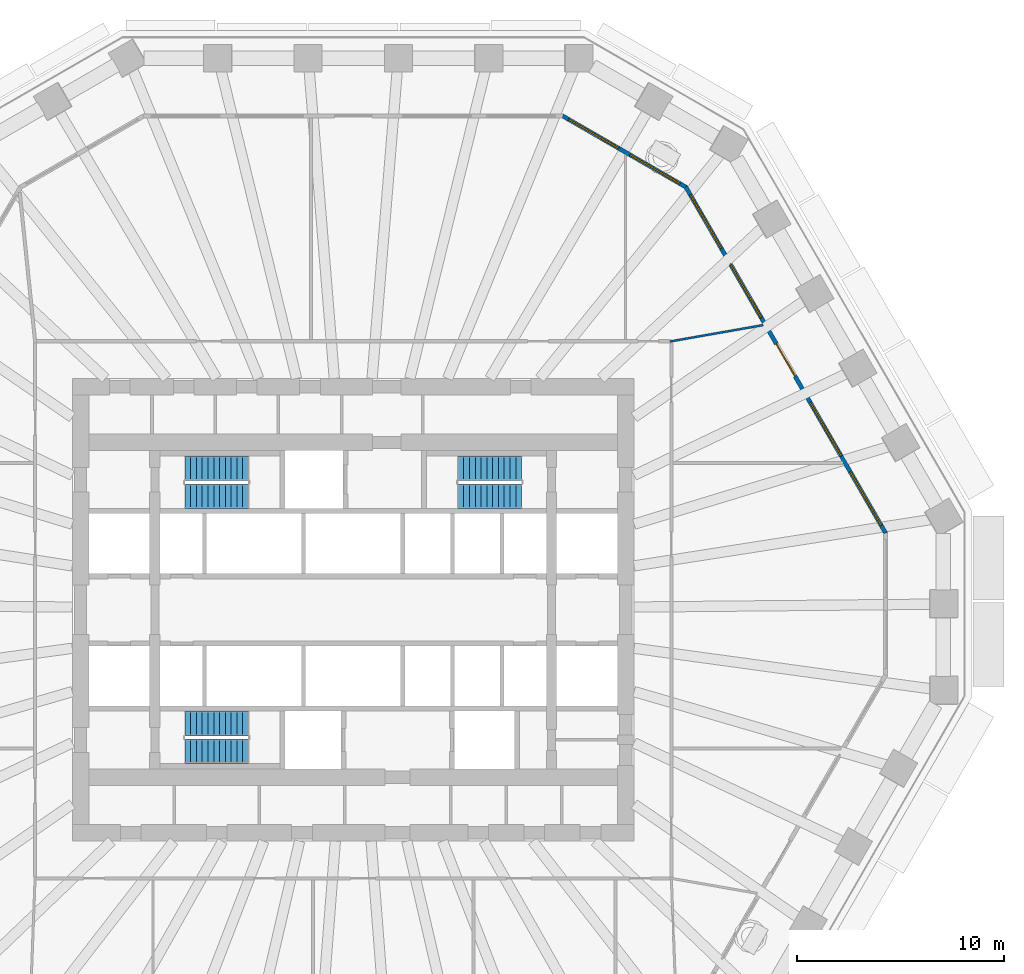
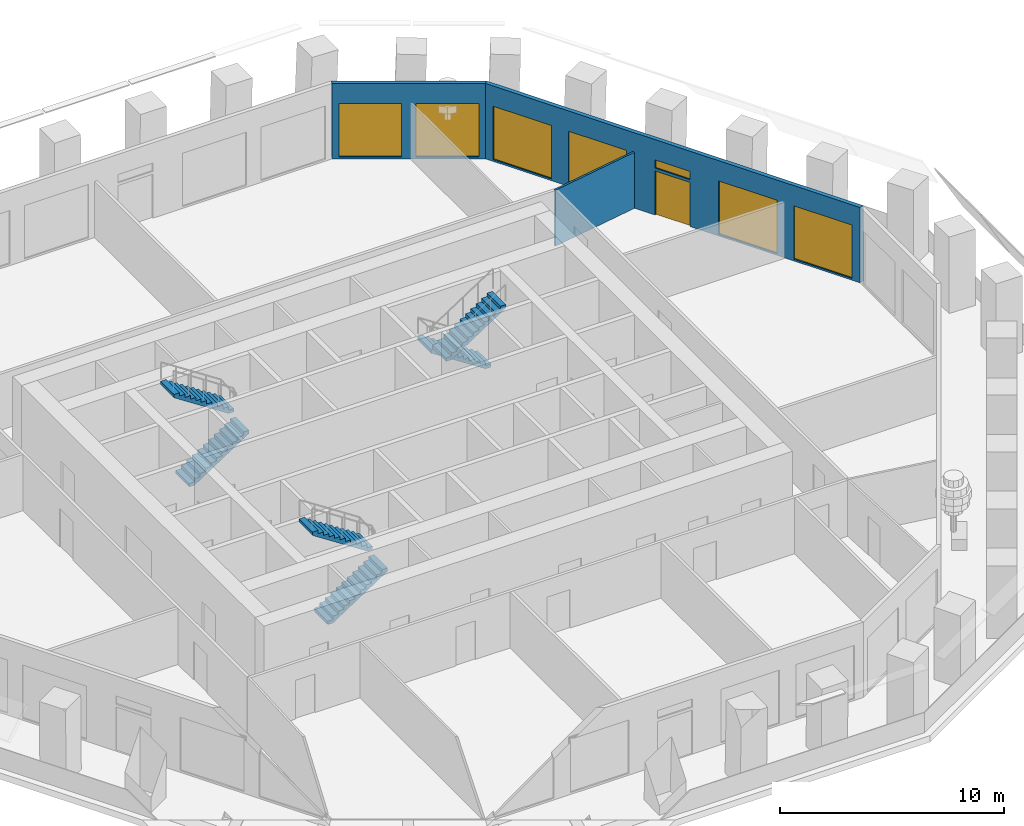
# One storey, part 8 of 12: 7 windows, 6 stair flights, 3 walls, 1 door, 8 openings, 3 elements without a shape of their own.
"""IFC4 building model written with IfcOpenShell, lengths in metres."""

from ifc_helpers import new_model, si_unit, direction, frame, frame_2d, origin, place, context, subcontext, project, spatial, polyline, rectangle, outline, extrude, material, layer, layer_set, type_object, element, fill, aggregate, save


model = new_model("IFC4")

# Units and contexts
model_context = context("Model", 3, precision=1e-05, world=origin(), true_north=direction((0.0, 1.0)))
body_context = subcontext(model_context, "Body", "Model", "MODEL_VIEW")
ifc_project = project(units=[si_unit("LENGTHUNIT", "METRE"), si_unit("AREAUNIT", "SQUARE_METRE"), si_unit("VOLUMEUNIT", "CUBIC_METRE"), si_unit("PLANEANGLEUNIT", "RADIAN"), si_unit("MASSUNIT", "GRAM", prefix="KILO")], contexts=[model_context])

# Site, building, storey
site_placement = place(None, origin())
site = spatial("IfcSite", under=ifc_project, at=site_placement, CompositionType="ELEMENT")
building_placement = place(site_placement, origin())
building = spatial("IfcBuilding", under=site, at=building_placement, Name="Frailejon Research Tower", CompositionType="ELEMENT")
storey_placement = place(building_placement, frame((0.0, 0.0, 89.60009765625)))
storey = spatial("IfcBuildingStorey", under=building, at=storey_placement, Name="L19", CompositionType="ELEMENT", Elevation=89.60009765625)

# Wall
ifc_material_1 = material(Name="Gypsum board and masonry partition", Category="masonry")
ifc_layer_1 = layer(ifc_material_1, 0.10009765625)
ifc_layer_set_1 = layer_set([ifc_layer_1], Name="Partition, gypsum on steel studs 100")
wall_type_1 = type_object("IfcWallType", Name="Partition, gypsum on steel studs 100", PredefinedType="PARTITIONING", material=ifc_layer_set_1)
wall_1_placement = place(storey_placement, frame((15.326171875, 12.987060546875, 0.0), z_axis=(0.0, 0.0, 1.0), x_axis=(0.98491186358, 0.173056698744, 0.0)))
element("IfcWall", 1, at=wall_1_placement, inside=storey, type_object=wall_type_1, Name="T:IW:L19:014", PredefinedType="PARTITIONING", context=body_context, shape_type="SweptSolid", body=[
    extrude(rectangle(XDim=4.587890625, YDim=0.10009765625, at=frame_2d((2.2939453125, 0.0))), origin(), (0.0, 0.0, 1.0), 3.0498046875),
])

# Wall, openings, door, windows
ifc_material_2 = material(Name="Concrete C40/50 precast window wall panel", Category="concrete")
ifc_layer_2 = layer(ifc_material_2, 0.199951171875)
ifc_layer_set_2 = layer_set([ifc_layer_2], Name="Window wall 200")
wall_type_2 = type_object("IfcWallType", Name="Window wall 200", PredefinedType="SOLIDWALL", material=ifc_layer_set_2)
wall_2_placement = place(storey_placement, frame((25.7724609375, 3.7138671875, 0.0), z_axis=(0.0, 0.0, 1.0), x_axis=(-0.500000373815, 0.866025187962, 0.0)))
wall_2 = element("IfcWall", 2, at=wall_2_placement, inside=storey, type_object=wall_type_2, Name="Exterior wall L19", PredefinedType="SOLIDWALL", context=body_context, shape_type="SweptSolid", body=[
    extrude(outline(polyline([(-0.02685546875, -0.10009765625), (0.993896484375, -0.10009765625), (2.0146484375, -0.10009765625), (3.035400390625, -0.10009765625), (4.055908203125, -0.10009765625), (5.07666015625, -0.10009765625), (6.097412109375, -0.10009765625), (7.1181640625, -0.10009765625), (8.138916015625, -0.10009765625), (9.15966796875, -0.10009765625), (10.18017578125, -0.10009765625), (11.200927734375, -0.10009765625), (12.2216796875, -0.10009765625), (13.242431640625, -0.10009765625), (14.26318359375, -0.10009765625), (15.283935546875, -0.10009765625), (16.304443359375, -0.10009765625), (17.3251953125, -0.10009765625), (18.345947265625, -0.10009765625), (19.36669921875, -0.10009765625), (19.31298828125, 0.10009765625), (18.2978515625, 0.10009765625), (17.282958984375, 0.10009765625), (16.267822265625, 0.10009765625), (15.252685546875, 0.10009765625), (14.23779296875, 0.10009765625), (13.22265625, 0.10009765625), (12.20751953125, 0.10009765625), (11.192626953125, 0.10009765625), (10.177490234375, 0.10009765625), (9.162353515625, 0.10009765625), (8.147216796875, 0.10009765625), (7.13232421875, 0.10009765625), (6.1171875, 0.10009765625), (5.10205078125, 0.10009765625), (4.087158203125, 0.10009765625), (3.072021484375, 0.10009765625), (2.056884765625, 0.10009765625), (1.0419921875, 0.10009765625), (0.02685546875, 0.10009765625), (-0.02685546875, -0.10009765625)])), origin(), (0.0, 0.0, 1.0), 4.099853515625),
])
opening_1_placement = place(wall_2_placement, frame((0.43408203125, 0.0, 0.10009765625)))
opening_1 = element("IfcOpeningElement", 3, at=opening_1_placement, cuts=wall_2, Name="Opening W4", PredefinedType="OPENING", context=body_context, shape_type="SweptSolid", body=[
    extrude(rectangle(XDim=3.0, YDim=2.89990234375, at=frame_2d((1.5, 1.449951171875))), frame((0.0, 0.10986328125, 0.0), z_axis=(0.0, -1.0, 0.0), x_axis=(1.0, 0.0, 0.0)), (0.0, 0.0, 1.0), 0.219970703125),
])
opening_2_placement = place(wall_2_placement, frame((4.302001953125, 0.0, 0.10009765625)))
opening_2 = element("IfcOpeningElement", 4, at=opening_2_placement, cuts=wall_2, Name="Opening W4", PredefinedType="OPENING", context=body_context, shape_type="SweptSolid", body=[
    extrude(rectangle(XDim=3.0, YDim=2.89990234375, at=frame_2d((1.5, 1.449951171875))), frame((0.0, 0.10986328125, 0.0), z_axis=(0.0, -1.0, 0.0), x_axis=(1.0, 0.0, 0.0)), (0.0, 0.0, 1.0), 0.219970703125),
])
opening_3_placement = place(wall_2_placement, frame((8.77001953125, 0.0, 0.0)))
opening_3 = element("IfcOpeningElement", 5, at=opening_3_placement, cuts=wall_2, Name="Opening LG19-1", PredefinedType="OPENING", context=body_context, shape_type="SweptSolid", body=[
    extrude(rectangle(XDim=1.800048828125, YDim=2.39990234375, at=frame_2d((0.89990234375, 1.199951171875))), frame((0.0, 0.10986328125, 0.0), z_axis=(0.0, -1.0, 0.0), x_axis=(1.0, 0.0, 0.0)), (0.0, 0.0, 1.0), 0.219970703125),
])
opening_4_placement = place(wall_2_placement, frame((8.77001953125, 0.0, 2.550048828125)))
opening_4 = element("IfcOpeningElement", 6, at=opening_4_placement, cuts=wall_2, Name="Opening W1", PredefinedType="OPENING", context=body_context, shape_type="SweptSolid", body=[
    extrude(rectangle(XDim=1.800048828125, YDim=0.449951171875, at=frame_2d((0.89990234375, 0.22509765625))), frame((0.0, 0.10986328125, 0.0), z_axis=(0.0, -1.0, 0.0), x_axis=(1.0, 0.0, 0.0)), (0.0, 0.0, 1.0), 0.219970703125),
])
opening_5_placement = place(wall_2_placement, frame((12.037841796875, 0.0, 0.10009765625)))
opening_5 = element("IfcOpeningElement", 7, at=opening_5_placement, cuts=wall_2, Name="Opening W4", PredefinedType="OPENING", context=body_context, shape_type="SweptSolid", body=[
    extrude(rectangle(XDim=3.0, YDim=2.89990234375, at=frame_2d((1.5, 1.449951171875))), frame((0.0, 0.10986328125, 0.0), z_axis=(0.0, -1.0, 0.0), x_axis=(1.0, 0.0, 0.0)), (0.0, 0.0, 1.0), 0.219970703125),
])
opening_6_placement = place(wall_2_placement, frame((15.906005859375, 0.0, 0.10009765625)))
opening_6 = element("IfcOpeningElement", 8, at=opening_6_placement, cuts=wall_2, Name="Opening W4", PredefinedType="OPENING", context=body_context, shape_type="SweptSolid", body=[
    extrude(rectangle(XDim=3.0, YDim=2.89990234375, at=frame_2d((1.5, 1.449951171875))), frame((0.0, 0.10986328125, 0.0), z_axis=(0.0, -1.0, 0.0), x_axis=(1.0, 0.0, 0.0)), (0.0, 0.0, 1.0), 0.219970703125),
])
ifc_material_3 = material(Name="Aluminium framed glazed door leaf", Category="aluminium")
door_type = type_object("IfcDoorType", Name="Loggia door 1800x2400", OperationType="DOUBLE_DOOR_SINGLE_SWING", PredefinedType="DOOR", material=ifc_material_3)
door_placement = place(opening_3_placement, origin())
door = element("IfcDoor", 9, at=door_placement, inside=storey, type_object=door_type, Name="Door LG19-1", OperationType="DOUBLE_DOOR_SINGLE_SWING", OverallHeight=2.39990234375, OverallWidth=1.800048828125, PredefinedType="DOOR", context=body_context, shape_type="SweptSolid", body=[
    extrude(rectangle(XDim=1.800048828125, YDim=2.39990234375, at=frame_2d((0.89990234375, 1.199951171875))), frame((0.0, 0.02490234375, 0.0), z_axis=(0.0, -1.0, 0.0), x_axis=(1.0, 0.0, 0.0)), (0.0, 0.0, 1.0), 0.050048828125),
])
fill(opening_3, door)
ifc_material_4 = material(Name="Aluminium framed double glazing", Category="aluminium")
window_type_1 = type_object("IfcWindowType", Name="Window 1800x450", PartitioningType="SINGLE_PANEL", PredefinedType="WINDOW", material=ifc_material_4)
window_1_placement = place(opening_4_placement, origin())
window_1 = element("IfcWindow", 10, at=window_1_placement, inside=storey, type_object=window_type_1, Name="Window L19", OverallHeight=0.449951171875, OverallWidth=1.800048828125, PartitioningType="SINGLE_PANEL", PredefinedType="WINDOW", context=body_context, shape_type="SweptSolid", body=[
    extrude(rectangle(XDim=1.800048828125, YDim=0.449951171875, at=frame_2d((0.89990234375, 0.22509765625))), frame((0.0, 0.030029296875, 0.0), z_axis=(0.0, -1.0, 0.0), x_axis=(1.0, 0.0, 0.0)), (0.0, 0.0, 1.0), 0.06005859375),
])
fill(opening_4, window_1)
ifc_material_5 = material(Name="Aluminium framed double glazing", Category="aluminium")
window_type_2 = type_object("IfcWindowType", Name="Window 3000x2900", PartitioningType="SINGLE_PANEL", PredefinedType="WINDOW", material=ifc_material_5)
window_2_placement = place(opening_1_placement, origin())
window_2 = element("IfcWindow", 11, at=window_2_placement, inside=storey, type_object=window_type_2, Name="Window L19", OverallHeight=2.89990234375, OverallWidth=3.0, PartitioningType="SINGLE_PANEL", PredefinedType="WINDOW", context=body_context, shape_type="SweptSolid", body=[
    extrude(rectangle(XDim=3.0, YDim=2.89990234375, at=frame_2d((1.5, 1.449951171875))), frame((0.0, 0.030029296875, 0.0), z_axis=(0.0, -1.0, 0.0), x_axis=(1.0, 0.0, 0.0)), (0.0, 0.0, 1.0), 0.06005859375),
])
fill(opening_1, window_2)
window_3_placement = place(opening_2_placement, origin())
window_3 = element("IfcWindow", 12, at=window_3_placement, inside=storey, type_object=window_type_2, Name="Window L19", OverallHeight=2.89990234375, OverallWidth=3.0, PartitioningType="SINGLE_PANEL", PredefinedType="WINDOW", context=body_context, shape_type="SweptSolid", body=[
    extrude(rectangle(XDim=3.0, YDim=2.89990234375, at=frame_2d((1.5, 1.449951171875))), frame((0.0, 0.030029296875, 0.0), z_axis=(0.0, -1.0, 0.0), x_axis=(1.0, 0.0, 0.0)), (0.0, 0.0, 1.0), 0.06005859375),
])
fill(opening_2, window_3)
window_4_placement = place(opening_5_placement, origin())
window_4 = element("IfcWindow", 13, at=window_4_placement, inside=storey, type_object=window_type_2, Name="Window L19", OverallHeight=2.89990234375, OverallWidth=3.0, PartitioningType="SINGLE_PANEL", PredefinedType="WINDOW", context=body_context, shape_type="SweptSolid", body=[
    extrude(rectangle(XDim=3.0, YDim=2.89990234375, at=frame_2d((1.5, 1.449951171875))), frame((0.0, 0.030029296875, 0.0), z_axis=(0.0, -1.0, 0.0), x_axis=(1.0, 0.0, 0.0)), (0.0, 0.0, 1.0), 0.06005859375),
])
fill(opening_5, window_4)
window_5_placement = place(opening_6_placement, origin())
window_5 = element("IfcWindow", 14, at=window_5_placement, inside=storey, type_object=window_type_2, Name="Window L19", OverallHeight=2.89990234375, OverallWidth=3.0, PartitioningType="SINGLE_PANEL", PredefinedType="WINDOW", context=body_context, shape_type="SweptSolid", body=[
    extrude(rectangle(XDim=3.0, YDim=2.89990234375, at=frame_2d((1.5, 1.449951171875))), frame((0.0, 0.030029296875, 0.0), z_axis=(0.0, -1.0, 0.0), x_axis=(1.0, 0.0, 0.0)), (0.0, 0.0, 1.0), 0.06005859375),
])
fill(opening_6, window_5)

# Wall, openings, windows
wall_3_placement = place(storey_placement, frame((16.1025390625, 20.462646484375, 0.0), z_axis=(0.0, 0.0, 1.0), x_axis=(-0.866029458321, 0.49999297727, 0.0)))
wall_3 = element("IfcWall", 15, at=wall_3_placement, inside=storey, type_object=wall_type_2, Name="Exterior wall L19", PredefinedType="SOLIDWALL", context=body_context, shape_type="SweptSolid", body=[
    extrude(outline(polyline([(-0.02685546875, -0.10009765625), (1.1279296875, -0.10009765625), (2.282470703125, -0.10009765625), (3.437255859375, -0.10009765625), (4.592041015625, -0.10009765625), (5.74658203125, -0.10009765625), (6.9013671875, -0.10009765625), (6.84765625, 0.10009765625), (5.7109375, 0.10009765625), (4.573974609375, 0.10009765625), (3.437255859375, 0.10009765625), (2.300537109375, 0.10009765625), (1.16357421875, 0.10009765625), (0.02685546875, 0.10009765625), (-0.02685546875, -0.10009765625)])), origin(), (0.0, 0.0, 1.0), 4.099853515625),
])
opening_7_placement = place(wall_3_placement, frame((0.318603515625, 0.0, 0.10009765625)))
opening_7 = element("IfcOpeningElement", 16, at=opening_7_placement, cuts=wall_3, Name="Opening W3", PredefinedType="OPENING", context=body_context, shape_type="SweptSolid", body=[
    extrude(rectangle(XDim=2.800048828125, YDim=2.89990234375, at=frame_2d((1.39990234375, 1.449951171875))), frame((0.0, 0.10986328125, 0.0), z_axis=(0.0, -1.0, 0.0), x_axis=(1.0, 0.0, 0.0)), (0.0, 0.0, 1.0), 0.219970703125),
])
opening_8_placement = place(wall_3_placement, frame((3.756103515625, 0.0, 0.10009765625)))
opening_8 = element("IfcOpeningElement", 17, at=opening_8_placement, cuts=wall_3, Name="Opening W3", PredefinedType="OPENING", context=body_context, shape_type="SweptSolid", body=[
    extrude(rectangle(XDim=2.800048828125, YDim=2.89990234375, at=frame_2d((1.39990234375, 1.449951171875))), frame((0.0, 0.10986328125, 0.0), z_axis=(0.0, -1.0, 0.0), x_axis=(1.0, 0.0, 0.0)), (0.0, 0.0, 1.0), 0.219970703125),
])
ifc_material_6 = material(Name="Aluminium framed double glazing", Category="aluminium")
window_type_3 = type_object("IfcWindowType", Name="Window 2800x2900", PartitioningType="SINGLE_PANEL", PredefinedType="WINDOW", material=ifc_material_6)
window_6_placement = place(opening_7_placement, origin())
window_6 = element("IfcWindow", 18, at=window_6_placement, inside=storey, type_object=window_type_3, Name="Window L19", OverallHeight=2.89990234375, OverallWidth=2.800048828125, PartitioningType="SINGLE_PANEL", PredefinedType="WINDOW", context=body_context, shape_type="SweptSolid", body=[
    extrude(rectangle(XDim=2.800048828125, YDim=2.89990234375, at=frame_2d((1.39990234375, 1.449951171875))), frame((0.0, 0.030029296875, 0.0), z_axis=(0.0, -1.0, 0.0), x_axis=(1.0, 0.0, 0.0)), (0.0, 0.0, 1.0), 0.06005859375),
])
fill(opening_7, window_6)
window_7_placement = place(opening_8_placement, origin())
window_7 = element("IfcWindow", 19, at=window_7_placement, inside=storey, type_object=window_type_3, Name="Window L19", OverallHeight=2.89990234375, OverallWidth=2.800048828125, PartitioningType="SINGLE_PANEL", PredefinedType="WINDOW", context=body_context, shape_type="SweptSolid", body=[
    extrude(rectangle(XDim=2.800048828125, YDim=2.89990234375, at=frame_2d((1.39990234375, 1.449951171875))), frame((0.0, 0.030029296875, 0.0), z_axis=(0.0, -1.0, 0.0), x_axis=(1.0, 0.0, 0.0)), (0.0, 0.0, 1.0), 0.06005859375),
])
fill(opening_8, window_7)

# Stair, stair flights
ifc_material_7 = material(Name="Concrete C50/60", Category="concrete")
stair_type = type_object("IfcStairType", Name="Exit stair 24 risers", PredefinedType="HALF_TURN_STAIR", material=ifc_material_7)
stair_1_placement = place(storey_placement, origin())
stair_1 = element("IfcStair", 20, at=stair_1_placement, inside=storey, type_object=stair_type, Name="L19 Exit stair ST1", PredefinedType="HALF_TURN_STAIR")
ifc_material_8 = material(Name="Concrete C50/60", Category="concrete")
ifc_layer_3 = layer(ifc_material_8, 0.14990234375)
ifc_layer_set_3 = layer_set([ifc_layer_3], Name="Stair flight 12 risers")
stair_flight_type = type_object("IfcStairFlightType", Name="Stair flight 12 risers", PredefinedType="STRAIGHT", material=ifc_layer_set_3)
stair_flight_1_placement = place(storey_placement, frame((-8.14990234375, 5.5, 0.0), z_axis=(0.0, 0.0, 1.0), x_axis=(1.0, 0.0, 0.0)))
stair_flight_1 = element("IfcStairFlight", 21, at=stair_flight_1_placement, type_object=stair_flight_type, Name="ST1 flight 1", NumberOfRisers=12, NumberOfTreads=11, PredefinedType="STRAIGHT", RiserHeight=0.183333333, TreadLength=0.28, context=body_context, shape_type="SweptSolid", body=[
    extrude(outline(polyline([(0.0, 0.0), (0.0, 0.183349609375), (0.280029296875, 0.183349609375), (0.280029296875, 0.36669921875), (0.56005859375, 0.36669921875), (0.56005859375, 0.550048828125), (0.840087890625, 0.550048828125), (0.840087890625, 0.7333984375), (1.1201171875, 0.7333984375), (1.1201171875, 0.916748046875), (1.39990234375, 0.916748046875), (1.39990234375, 1.10009765625), (1.679931640625, 1.10009765625), (1.679931640625, 1.283447265625), (1.9599609375, 1.283447265625), (1.9599609375, 1.466552734375), (2.239990234375, 1.466552734375), (2.239990234375, 1.64990234375), (2.52001953125, 1.64990234375), (2.52001953125, 1.833251953125), (2.800048828125, 1.833251953125), (2.800048828125, 2.0166015625), (3.080078125, 2.0166015625), (3.080078125, 2.199951171875), (3.080078125, 1.83740234375), (0.273681640625, 0.0), (0.0, 0.0)])), frame((0.0, 0.60009765625, 0.0), z_axis=(0.0, -1.0, 0.0), x_axis=(1.0, 0.0, 0.0)), (0.0, 0.0, 1.0), 1.199951171875),
])
stair_flight_2_placement = place(storey_placement, frame((-5.070068359375, 6.85009765625, 2.199951171875), z_axis=(0.0, 0.0, 1.0), x_axis=(-1.0, 0.0, 0.0)))
stair_flight_2 = element("IfcStairFlight", 22, at=stair_flight_2_placement, type_object=stair_flight_type, Name="ST1 flight 2", NumberOfRisers=12, NumberOfTreads=11, PredefinedType="STRAIGHT", RiserHeight=0.183333333, TreadLength=0.28, context=body_context, shape_type="SweptSolid", body=[
    extrude(outline(polyline([(0.0, 0.0), (0.0, 0.183349609375), (0.280029296875, 0.183349609375), (0.280029296875, 0.36669921875), (0.56005859375, 0.36669921875), (0.56005859375, 0.550048828125), (0.840087890625, 0.550048828125), (0.840087890625, 0.7333984375), (1.1201171875, 0.7333984375), (1.1201171875, 0.916748046875), (1.39990234375, 0.916748046875), (1.39990234375, 1.10009765625), (1.679931640625, 1.10009765625), (1.679931640625, 1.283447265625), (1.9599609375, 1.283447265625), (1.9599609375, 1.466552734375), (2.239990234375, 1.466552734375), (2.239990234375, 1.64990234375), (2.52001953125, 1.64990234375), (2.52001953125, 1.833251953125), (2.800048828125, 1.833251953125), (2.800048828125, 2.0166015625), (3.080078125, 2.0166015625), (3.080078125, 2.199951171875), (3.080078125, 1.83740234375), (0.273681640625, 0.0), (0.0, 0.0)])), frame((0.0, 0.60009765625, 0.0), z_axis=(0.0, -1.0, 0.0), x_axis=(1.0, 0.0, 0.0)), (0.0, 0.0, 1.0), 1.199951171875),
])
aggregate(stair_1, [stair_flight_1, stair_flight_2])

stair_2_placement = place(storey_placement, origin())
stair_2 = element("IfcStair", 23, at=stair_2_placement, inside=storey, type_object=stair_type, Name="L19 Exit stair ST2", PredefinedType="HALF_TURN_STAIR")
stair_flight_3_placement = place(storey_placement, frame((-8.14990234375, -6.85009765625, 0.0), z_axis=(0.0, 0.0, 1.0), x_axis=(1.0, 0.0, 0.0)))
stair_flight_3 = element("IfcStairFlight", 24, at=stair_flight_3_placement, type_object=stair_flight_type, Name="ST2 flight 1", NumberOfRisers=12, NumberOfTreads=11, PredefinedType="STRAIGHT", RiserHeight=0.183333333, TreadLength=0.28, context=body_context, shape_type="SweptSolid", body=[
    extrude(outline(polyline([(0.0, 0.0), (0.0, 0.183349609375), (0.280029296875, 0.183349609375), (0.280029296875, 0.36669921875), (0.56005859375, 0.36669921875), (0.56005859375, 0.550048828125), (0.840087890625, 0.550048828125), (0.840087890625, 0.7333984375), (1.1201171875, 0.7333984375), (1.1201171875, 0.916748046875), (1.39990234375, 0.916748046875), (1.39990234375, 1.10009765625), (1.679931640625, 1.10009765625), (1.679931640625, 1.283447265625), (1.9599609375, 1.283447265625), (1.9599609375, 1.466552734375), (2.239990234375, 1.466552734375), (2.239990234375, 1.64990234375), (2.52001953125, 1.64990234375), (2.52001953125, 1.833251953125), (2.800048828125, 1.833251953125), (2.800048828125, 2.0166015625), (3.080078125, 2.0166015625), (3.080078125, 2.199951171875), (3.080078125, 1.83740234375), (0.273681640625, 0.0), (0.0, 0.0)])), frame((0.0, 0.60009765625, 0.0), z_axis=(0.0, -1.0, 0.0), x_axis=(1.0, 0.0, 0.0)), (0.0, 0.0, 1.0), 1.199951171875),
])
stair_flight_4_placement = place(storey_placement, frame((-5.070068359375, -5.5, 2.199951171875), z_axis=(0.0, 0.0, 1.0), x_axis=(-1.0, 0.0, 0.0)))
stair_flight_4 = element("IfcStairFlight", 25, at=stair_flight_4_placement, type_object=stair_flight_type, Name="ST2 flight 2", NumberOfRisers=12, NumberOfTreads=11, PredefinedType="STRAIGHT", RiserHeight=0.183333333, TreadLength=0.28, context=body_context, shape_type="SweptSolid", body=[
    extrude(outline(polyline([(0.0, 0.0), (0.0, 0.183349609375), (0.280029296875, 0.183349609375), (0.280029296875, 0.36669921875), (0.56005859375, 0.36669921875), (0.56005859375, 0.550048828125), (0.840087890625, 0.550048828125), (0.840087890625, 0.7333984375), (1.1201171875, 0.7333984375), (1.1201171875, 0.916748046875), (1.39990234375, 0.916748046875), (1.39990234375, 1.10009765625), (1.679931640625, 1.10009765625), (1.679931640625, 1.283447265625), (1.9599609375, 1.283447265625), (1.9599609375, 1.466552734375), (2.239990234375, 1.466552734375), (2.239990234375, 1.64990234375), (2.52001953125, 1.64990234375), (2.52001953125, 1.833251953125), (2.800048828125, 1.833251953125), (2.800048828125, 2.0166015625), (3.080078125, 2.0166015625), (3.080078125, 2.199951171875), (3.080078125, 1.83740234375), (0.273681640625, 0.0), (0.0, 0.0)])), frame((0.0, 0.60009765625, 0.0), z_axis=(0.0, -1.0, 0.0), x_axis=(1.0, 0.0, 0.0)), (0.0, 0.0, 1.0), 1.199951171875),
])
aggregate(stair_2, [stair_flight_3, stair_flight_4])

stair_3_placement = place(storey_placement, origin())
stair_3 = element("IfcStair", 26, at=stair_3_placement, inside=storey, type_object=stair_type, Name="L19 Exit stair ST3", PredefinedType="HALF_TURN_STAIR")
stair_flight_5_placement = place(storey_placement, frame((8.14990234375, 6.85009765625, 0.0), z_axis=(0.0, 0.0, 1.0), x_axis=(-1.0, 0.0, 0.0)))
stair_flight_5 = element("IfcStairFlight", 27, at=stair_flight_5_placement, type_object=stair_flight_type, Name="ST3 flight 1", NumberOfRisers=12, NumberOfTreads=11, PredefinedType="STRAIGHT", RiserHeight=0.183333333, TreadLength=0.28, context=body_context, shape_type="SweptSolid", body=[
    extrude(outline(polyline([(0.0, 0.0), (0.0, 0.183349609375), (0.280029296875, 0.183349609375), (0.280029296875, 0.36669921875), (0.56005859375, 0.36669921875), (0.56005859375, 0.550048828125), (0.840087890625, 0.550048828125), (0.840087890625, 0.7333984375), (1.1201171875, 0.7333984375), (1.1201171875, 0.916748046875), (1.39990234375, 0.916748046875), (1.39990234375, 1.10009765625), (1.679931640625, 1.10009765625), (1.679931640625, 1.283447265625), (1.9599609375, 1.283447265625), (1.9599609375, 1.466552734375), (2.239990234375, 1.466552734375), (2.239990234375, 1.64990234375), (2.52001953125, 1.64990234375), (2.52001953125, 1.833251953125), (2.800048828125, 1.833251953125), (2.800048828125, 2.0166015625), (3.080078125, 2.0166015625), (3.080078125, 2.199951171875), (3.080078125, 1.83740234375), (0.273681640625, 0.0), (0.0, 0.0)])), frame((0.0, 0.60009765625, 0.0), z_axis=(0.0, -1.0, 0.0), x_axis=(1.0, 0.0, 0.0)), (0.0, 0.0, 1.0), 1.199951171875),
])
stair_flight_6_placement = place(storey_placement, frame((5.070068359375, 5.5, 2.199951171875), z_axis=(0.0, 0.0, 1.0), x_axis=(1.0, 0.0, 0.0)))
stair_flight_6 = element("IfcStairFlight", 28, at=stair_flight_6_placement, type_object=stair_flight_type, Name="ST3 flight 2", NumberOfRisers=12, NumberOfTreads=11, PredefinedType="STRAIGHT", RiserHeight=0.183333333, TreadLength=0.28, context=body_context, shape_type="SweptSolid", body=[
    extrude(outline(polyline([(0.0, 0.0), (0.0, 0.183349609375), (0.280029296875, 0.183349609375), (0.280029296875, 0.36669921875), (0.56005859375, 0.36669921875), (0.56005859375, 0.550048828125), (0.840087890625, 0.550048828125), (0.840087890625, 0.7333984375), (1.1201171875, 0.7333984375), (1.1201171875, 0.916748046875), (1.39990234375, 0.916748046875), (1.39990234375, 1.10009765625), (1.679931640625, 1.10009765625), (1.679931640625, 1.283447265625), (1.9599609375, 1.283447265625), (1.9599609375, 1.466552734375), (2.239990234375, 1.466552734375), (2.239990234375, 1.64990234375), (2.52001953125, 1.64990234375), (2.52001953125, 1.833251953125), (2.800048828125, 1.833251953125), (2.800048828125, 2.0166015625), (3.080078125, 2.0166015625), (3.080078125, 2.199951171875), (3.080078125, 1.83740234375), (0.273681640625, 0.0), (0.0, 0.0)])), frame((0.0, 0.60009765625, 0.0), z_axis=(0.0, -1.0, 0.0), x_axis=(1.0, 0.0, 0.0)), (0.0, 0.0, 1.0), 1.199951171875),
])
aggregate(stair_3, [stair_flight_5, stair_flight_6])

save(model, "model.ifc")
